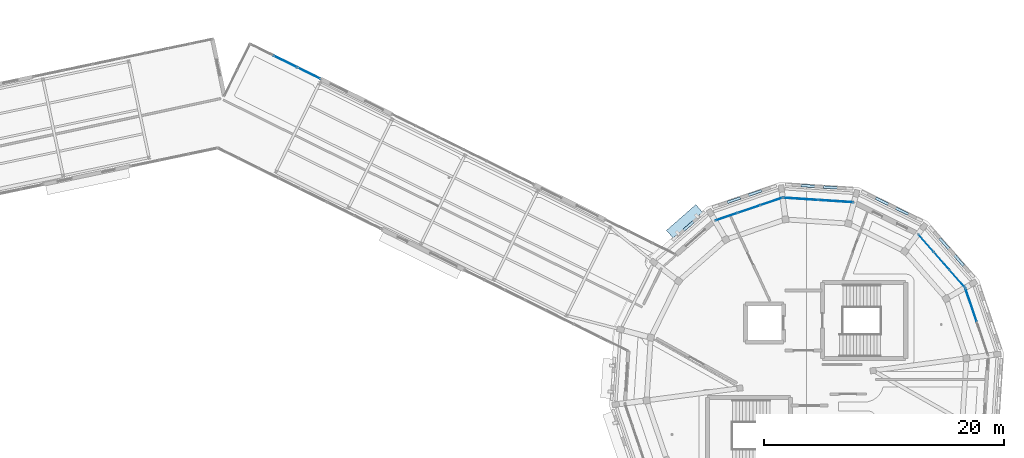
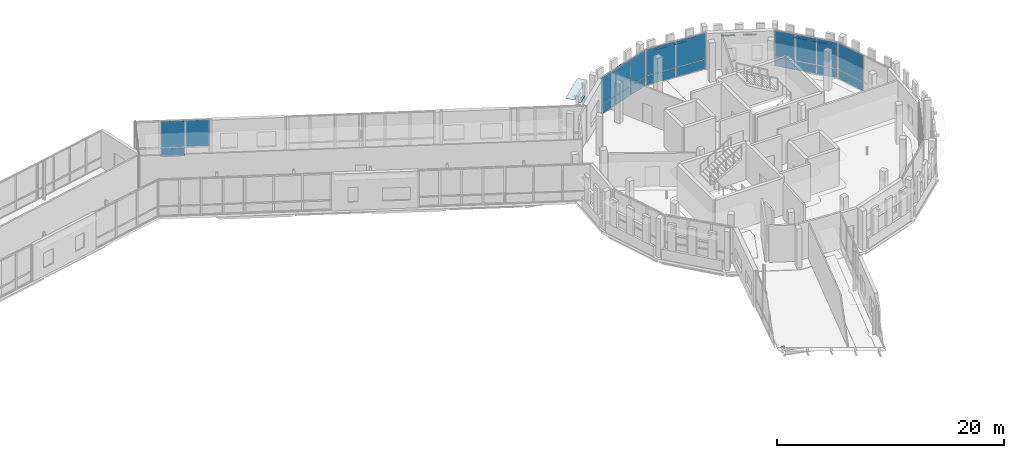
# One storey, part 83 of 125: 31 plates, 5 elements without a shape of their own.
"""IFC4 building model written with IfcOpenShell, lengths in metres."""

from ifc_helpers import new_model, si_unit, direction, frame, origin, origin_2d, place, context, subcontext, project, spatial, rectangle, extrude, material, layer, layer_set, type_object, element, aggregate, save


model = new_model("IFC4")

# Units and contexts
model_context = context("Model", 3, precision=1e-05, world=origin(), true_north=direction((0.0, 1.0)))
body_context = subcontext(model_context, "Body", "Model", "MODEL_VIEW")
ifc_project = project(units=[si_unit("LENGTHUNIT", "METRE"), si_unit("AREAUNIT", "SQUARE_METRE"), si_unit("VOLUMEUNIT", "CUBIC_METRE"), si_unit("PLANEANGLEUNIT", "RADIAN"), si_unit("MASSUNIT", "GRAM", prefix="KILO")], contexts=[model_context])

# Site, building, storey
site_placement = place(None, origin())
site = spatial("IfcSite", under=ifc_project, at=site_placement, CompositionType="ELEMENT")
building_placement = place(site_placement, origin())
building = spatial("IfcBuilding", under=site, at=building_placement, Name="Wrenclough Park School", CompositionType="ELEMENT")
storey_placement = place(building_placement, frame((0.0, 0.0, 4.199951171875)))
storey = spatial("IfcBuildingStorey", under=building, at=storey_placement, Name="L01", CompositionType="ELEMENT", Elevation=4.199951171875)

# Curtain wall, plates
ifc_material_1 = material(Name="Thermally broken aluminium and low-e glass curtain wall", Category="aluminium")
curtain_wall_type_1 = type_object("IfcCurtainWallType", Name="ENV-CW-05", PredefinedType="USERDEFINED", material=ifc_material_1)
curtain_wall_1_placement = place(storey_placement, origin())
curtain_wall_1 = element("IfcCurtainWall", 1, at=curtain_wall_1_placement, inside=storey, type_object=curtain_wall_type_1, Name="L01 recessed curtain wall assembly 116", ObjectType="CURTAIN WALL", PredefinedType="USERDEFINED")
ifc_material_2 = material(Name="Double-glazed solar-control low-e glass", Category="glass")
ifc_layer_1 = layer(ifc_material_2, 0.02587890625)
ifc_layer_set_1 = layer_set([ifc_layer_1], Name="Double-glazed solar-control low-e glass")
plate_type_1 = type_object("IfcPlateType", Name="ENV-CWP-GL26", PredefinedType="CURTAIN_PANEL", material=ifc_layer_set_1)
plate_1_placement = place(storey_placement, frame((184.46875, 104.8583984375, 0.06982421875), z_axis=(0.0, 0.0, 1.0), x_axis=(0.65936519908, -0.751822807743, 0.0)))
plate_1 = element("IfcPlate", 2, at=plate_1_placement, type_object=plate_type_1, Name="CW-05 panel 1.1", PredefinedType="CURTAIN_PANEL", context=body_context, shape_type="SweptSolid", body=[
    extrude(rectangle(XDim=1.87939453125, YDim=0.02587890625, at=origin_2d()), origin(), (0.0, 0.0, 1.0), 0.945068359375),
])
plate_2_placement = place(storey_placement, frame((184.46875, 104.8583984375, 1.0849609375), z_axis=(0.0, 0.0, 1.0), x_axis=(0.65936519908, -0.751822807743, 0.0)))
plate_2 = element("IfcPlate", 3, at=plate_2_placement, type_object=plate_type_1, Name="CW-05 panel 1.2", PredefinedType="CURTAIN_PANEL", context=body_context, shape_type="SweptSolid", body=[
    extrude(rectangle(XDim=1.87939453125, YDim=0.02587890625, at=origin_2d()), origin(), (0.0, 0.0, 1.0), 2.784912109375),
])
plate_3_placement = place(storey_placement, frame((185.765625, 103.379638671875, 0.06982421875), z_axis=(0.0, 0.0, 1.0), x_axis=(0.65936519908, -0.751822807743, 0.0)))
plate_3 = element("IfcPlate", 4, at=plate_3_placement, type_object=plate_type_1, Name="CW-05 panel 2.1", PredefinedType="CURTAIN_PANEL", context=body_context, shape_type="SweptSolid", body=[
    extrude(rectangle(XDim=1.914306640625, YDim=0.02587890625, at=origin_2d()), origin(), (0.0, 0.0, 1.0), 0.945068359375),
])
plate_4_placement = place(storey_placement, frame((185.765625, 103.379638671875, 1.0849609375), z_axis=(0.0, 0.0, 1.0), x_axis=(0.65936519908, -0.751822807743, 0.0)))
plate_4 = element("IfcPlate", 5, at=plate_4_placement, type_object=plate_type_1, Name="CW-05 panel 2.2", PredefinedType="CURTAIN_PANEL", context=body_context, shape_type="SweptSolid", body=[
    extrude(rectangle(XDim=1.914306640625, YDim=0.02587890625, at=origin_2d()), origin(), (0.0, 0.0, 1.0), 2.784912109375),
])
plate_5_placement = place(storey_placement, frame((187.0625, 101.90087890625, 0.06982421875), z_axis=(0.0, 0.0, 1.0), x_axis=(0.65936519908, -0.751822807743, 0.0)))
plate_5 = element("IfcPlate", 6, at=plate_5_placement, type_object=plate_type_1, Name="CW-05 panel 3.1", PredefinedType="CURTAIN_PANEL", context=body_context, shape_type="SweptSolid", body=[
    extrude(rectangle(XDim=1.87939453125, YDim=0.02587890625, at=origin_2d()), origin(), (0.0, 0.0, 1.0), 0.945068359375),
])
plate_6_placement = place(storey_placement, frame((187.0625, 101.90087890625, 1.0849609375), z_axis=(0.0, 0.0, 1.0), x_axis=(0.65936519908, -0.751822807743, 0.0)))
plate_6 = element("IfcPlate", 7, at=plate_6_placement, type_object=plate_type_1, Name="CW-05 panel 3.2", PredefinedType="CURTAIN_PANEL", context=body_context, shape_type="SweptSolid", body=[
    extrude(rectangle(XDim=1.87939453125, YDim=0.02587890625, at=origin_2d()), origin(), (0.0, 0.0, 1.0), 2.784912109375),
])
aggregate(curtain_wall_1, [plate_1, plate_2, plate_3, plate_4, plate_5, plate_6])

curtain_wall_type_2 = type_object("IfcCurtainWallType", Name="ENV-CW-03", PredefinedType="USERDEFINED", material=ifc_material_1)
curtain_wall_2_placement = place(storey_placement, origin())
curtain_wall_2 = element("IfcCurtainWall", 8, at=curtain_wall_2_placement, inside=storey, type_object=curtain_wall_type_2, Name="L01 recessed curtain wall assembly 114", ObjectType="CURTAIN WALL", PredefinedType="USERDEFINED")
ifc_material_3 = material(Name="Triple-glazed senior-lab low-e glass", Category="glass")
ifc_layer_2 = layer(ifc_material_3, 0.033935546875)
ifc_layer_set_2 = layer_set([ifc_layer_2], Name="Triple-glazed senior-lab low-e glass")
plate_type_2 = type_object("IfcPlateType", Name="ENV-CWP-GL34", PredefinedType="CURTAIN_PANEL", material=ifc_layer_set_2)
plate_7_placement = place(storey_placement, frame((167.818603515625, 107.055908203125, 0.06005859375), z_axis=(0.0, 0.0, 1.0), x_axis=(0.946933787668, 0.321428688473, 0.0)))
plate_7 = element("IfcPlate", 9, at=plate_7_placement, type_object=plate_type_2, Name="CW-03 panel 1.1", PredefinedType="CURTAIN_PANEL", context=body_context, shape_type="SweptSolid", body=[
    extrude(rectangle(XDim=1.894287109375, YDim=0.033935546875, at=origin_2d()), origin(), (0.0, 0.0, 1.0), 0.9599609375),
])
plate_8_placement = place(storey_placement, frame((167.818603515625, 107.055908203125, 1.080078125), z_axis=(0.0, 0.0, 1.0), x_axis=(0.946933787668, 0.321428688473, 0.0)))
plate_8 = element("IfcPlate", 10, at=plate_8_placement, type_object=plate_type_2, Name="CW-03 panel 1.2", PredefinedType="CURTAIN_PANEL", context=body_context, shape_type="SweptSolid", body=[
    extrude(rectangle(XDim=1.894287109375, YDim=0.033935546875, at=origin_2d()), origin(), (0.0, 0.0, 1.0), 2.800048828125),
])
plate_9_placement = place(storey_placement, frame((169.68359375, 107.68896484375, 0.06005859375), z_axis=(0.0, 0.0, 1.0), x_axis=(0.946933787668, 0.321428688473, 0.0)))
plate_9 = element("IfcPlate", 11, at=plate_9_placement, type_object=plate_type_2, Name="CW-03 panel 2.1", PredefinedType="CURTAIN_PANEL", context=body_context, shape_type="SweptSolid", body=[
    extrude(rectangle(XDim=1.92431640625, YDim=0.033935546875, at=origin_2d()), origin(), (0.0, 0.0, 1.0), 0.9599609375),
])
plate_10_placement = place(storey_placement, frame((169.68359375, 107.68896484375, 1.080078125), z_axis=(0.0, 0.0, 1.0), x_axis=(0.946933787668, 0.321428688473, 0.0)))
plate_10 = element("IfcPlate", 12, at=plate_10_placement, type_object=plate_type_2, Name="CW-03 panel 2.2", PredefinedType="CURTAIN_PANEL", context=body_context, shape_type="SweptSolid", body=[
    extrude(rectangle(XDim=1.92431640625, YDim=0.033935546875, at=origin_2d()), origin(), (0.0, 0.0, 1.0), 2.800048828125),
])
plate_11_placement = place(storey_placement, frame((171.54833984375, 108.322021484375, 0.06005859375), z_axis=(0.0, 0.0, 1.0), x_axis=(0.946933787668, 0.321428688473, 0.0)))
plate_11 = element("IfcPlate", 13, at=plate_11_placement, type_object=plate_type_2, Name="CW-03 panel 3.1", PredefinedType="CURTAIN_PANEL", context=body_context, shape_type="SweptSolid", body=[
    extrude(rectangle(XDim=1.894287109375, YDim=0.033935546875, at=origin_2d()), origin(), (0.0, 0.0, 1.0), 0.9599609375),
])
plate_12_placement = place(storey_placement, frame((171.54833984375, 108.322021484375, 1.080078125), z_axis=(0.0, 0.0, 1.0), x_axis=(0.946933787668, 0.321428688473, 0.0)))
plate_12 = element("IfcPlate", 14, at=plate_12_placement, type_object=plate_type_2, Name="CW-03 panel 3.2", PredefinedType="CURTAIN_PANEL", context=body_context, shape_type="SweptSolid", body=[
    extrude(rectangle(XDim=1.894287109375, YDim=0.033935546875, at=origin_2d()), origin(), (0.0, 0.0, 1.0), 2.800048828125),
])
aggregate(curtain_wall_2, [plate_7, plate_8, plate_9, plate_10, plate_11, plate_12])

curtain_wall_type_3 = type_object("IfcCurtainWallType", Name="ENV-CW-04", PredefinedType="USERDEFINED", material=ifc_material_1)
curtain_wall_3_placement = place(storey_placement, origin())
curtain_wall_3 = element("IfcCurtainWall", 15, at=curtain_wall_3_placement, inside=storey, type_object=curtain_wall_type_3, Name="L01 recessed curtain wall assembly 115", ObjectType="CURTAIN WALL", PredefinedType="USERDEFINED")
ifc_material_4 = material(Name="Laminated sports-concourse safety glass", Category="glass")
ifc_layer_3 = layer(ifc_material_4, 0.0380859375)
ifc_layer_set_3 = layer_set([ifc_layer_3], Name="Laminated sports-concourse safety glass")
plate_type_3 = type_object("IfcPlateType", Name="ENV-CWP-GL38", PredefinedType="CURTAIN_PANEL", material=ifc_layer_set_3)
plate_13_placement = place(storey_placement, frame((174.01123046875, 108.54833984375, 0.06494140625), z_axis=(0.0, 0.0, 1.0), x_axis=(0.997860471812, -0.065379498276, 0.0)))
plate_13 = element("IfcPlate", 16, at=plate_13_placement, type_object=plate_type_3, Name="CW-04 panel 1.1", PredefinedType="CURTAIN_PANEL", context=body_context, shape_type="SweptSolid", body=[
    extrude(rectangle(XDim=2.87890625, YDim=0.0380859375, at=origin_2d()), origin(), (0.0, 0.0, 1.0), 0.952392578125),
])
plate_14_placement = place(storey_placement, frame((174.01123046875, 108.54833984375, 1.08251953125), z_axis=(0.0, 0.0, 1.0), x_axis=(0.997860471812, -0.065379498276, 0.0)))
plate_14 = element("IfcPlate", 17, at=plate_14_placement, type_object=plate_type_3, Name="CW-04 panel 1.2", PredefinedType="CURTAIN_PANEL", context=body_context, shape_type="SweptSolid", body=[
    extrude(rectangle(XDim=2.87890625, YDim=0.0380859375, at=origin_2d()), origin(), (0.0, 0.0, 1.0), 2.79248046875),
])
plate_15_placement = place(storey_placement, frame((176.94873046875, 108.35595703125, 0.06494140625), z_axis=(0.0, 0.0, 1.0), x_axis=(0.997860471812, -0.065379498276, 0.0)))
plate_15 = element("IfcPlate", 18, at=plate_15_placement, type_object=plate_type_3, Name="CW-04 panel 2.1", PredefinedType="CURTAIN_PANEL", context=body_context, shape_type="SweptSolid", body=[
    extrude(rectangle(XDim=2.87890625, YDim=0.0380859375, at=origin_2d()), origin(), (0.0, 0.0, 1.0), 0.952392578125),
])
plate_16_placement = place(storey_placement, frame((176.94873046875, 108.35595703125, 1.08251953125), z_axis=(0.0, 0.0, 1.0), x_axis=(0.997860471812, -0.065379498276, 0.0)))
plate_16 = element("IfcPlate", 19, at=plate_16_placement, type_object=plate_type_3, Name="CW-04 panel 2.2", PredefinedType="CURTAIN_PANEL", context=body_context, shape_type="SweptSolid", body=[
    extrude(rectangle(XDim=2.87890625, YDim=0.0380859375, at=origin_2d()), origin(), (0.0, 0.0, 1.0), 2.79248046875),
])
aggregate(curtain_wall_3, [plate_13, plate_14, plate_15, plate_16])

curtain_wall_type_4 = type_object("IfcCurtainWallType", Name="ENV-CW-06", PredefinedType="USERDEFINED", material=ifc_material_1)
curtain_wall_4_placement = place(storey_placement, origin())
curtain_wall_4 = element("IfcCurtainWall", 20, at=curtain_wall_4_placement, inside=storey, type_object=curtain_wall_type_4, Name="L01 recessed curtain wall assembly 117", ObjectType="CURTAIN WALL", PredefinedType="USERDEFINED")
ifc_material_5 = material(Name="Insulated anodised aluminium spandrel panel", Category="aluminium")
ifc_layer_4 = layer(ifc_material_5, 0.0419921875)
ifc_layer_set_4 = layer_set([ifc_layer_4], Name="Insulated anodised aluminium spandrel panel")
plate_type_4 = type_object("IfcPlateType", Name="ENV-CWP-SP42", PredefinedType="CURTAIN_PANEL", material=ifc_layer_set_4)
plate_17_placement = place(storey_placement, frame((188.21533203125, 99.711669921875, 0.06005859375), z_axis=(0.0, 0.0, 1.0), x_axis=(0.321428688473, -0.946933787668, 0.0)))
plate_17 = element("IfcPlate", 21, at=plate_17_placement, type_object=plate_type_4, Name="CW-06 panel 1.1", PredefinedType="CURTAIN_PANEL", context=body_context, shape_type="SweptSolid", body=[
    extrude(rectangle(XDim=2.886474609375, YDim=0.0419921875, at=origin_2d()), origin(), (0.0, 0.0, 1.0), 0.9599609375),
])
plate_18_placement = place(storey_placement, frame((188.21533203125, 99.711669921875, 1.080078125), z_axis=(0.0, 0.0, 1.0), x_axis=(0.321428688473, -0.946933787668, 0.0)))
plate_18 = element("IfcPlate", 22, at=plate_18_placement, type_object=plate_type_4, Name="CW-06 panel 1.2", PredefinedType="CURTAIN_PANEL", context=body_context, shape_type="SweptSolid", body=[
    extrude(rectangle(XDim=2.886474609375, YDim=0.0419921875, at=origin_2d()), origin(), (0.0, 0.0, 1.0), 2.800048828125),
])
aggregate(curtain_wall_4, [plate_17, plate_18])

curtain_wall_type_5 = type_object("IfcCurtainWallType", Name="ENV-CW-15", PredefinedType="USERDEFINED", material=ifc_material_1)
curtain_wall_5_placement = place(storey_placement, origin())
curtain_wall_5 = element("IfcCurtainWall", 23, at=curtain_wall_5_placement, inside=storey, type_object=curtain_wall_type_5, Name="L01 recessed curtain wall assembly 110", ObjectType="CURTAIN WALL", PredefinedType="USERDEFINED")
ifc_material_6 = material(Name="Insulated patinated copper-toned spandrel panel", Category="aluminium")
ifc_layer_5 = layer(ifc_material_6, 0.048095703125)
ifc_layer_set_5 = layer_set([ifc_layer_5], Name="Insulated patinated copper-toned spandrel panel")
plate_type_5 = type_object("IfcPlateType", Name="ENV-CWP-SP48", PredefinedType="CURTAIN_PANEL", material=ifc_layer_set_5)
plate_19_placement = place(storey_placement, frame((131.0546875, 119.997314453125, 0.06982421875), z_axis=(0.0, 0.0, 1.0), x_axis=(0.896268771377, -0.443511318294, 0.0)))
plate_19 = element("IfcPlate", 24, at=plate_19_placement, type_object=plate_type_5, Name="CW-15 panel 2.1", PredefinedType="CURTAIN_PANEL", context=body_context, shape_type="SweptSolid", body=[
    extrude(rectangle(XDim=2.129150390625, YDim=0.048095703125, at=origin_2d()), origin(), (0.0, 0.0, 1.0), 0.945068359375),
])
plate_20_placement = place(storey_placement, frame((131.0546875, 119.997314453125, 1.0849609375), z_axis=(0.0, 0.0, 1.0), x_axis=(0.896268771377, -0.443511318294, 0.0)))
plate_20 = element("IfcPlate", 25, at=plate_20_placement, type_object=plate_type_5, Name="CW-15 panel 2.2", PredefinedType="CURTAIN_PANEL", context=body_context, shape_type="SweptSolid", body=[
    extrude(rectangle(XDim=2.129150390625, YDim=0.048095703125, at=origin_2d()), origin(), (0.0, 0.0, 1.0), 2.784912109375),
])
plate_21_placement = place(storey_placement, frame((133.010009765625, 119.029541015625, 1.0849609375), z_axis=(0.0, 0.0, 1.0), x_axis=(0.896268771377, -0.443511318294, 0.0)))
plate_21 = element("IfcPlate", 26, at=plate_21_placement, type_object=plate_type_5, Name="CW-15 panel 3.2", PredefinedType="CURTAIN_PANEL", context=body_context, shape_type="SweptSolid", body=[
    extrude(rectangle(XDim=2.09423828125, YDim=0.048095703125, at=origin_2d()), origin(), (0.0, 0.0, 1.0), 2.784912109375),
])
aggregate(curtain_wall_5, [plate_19, plate_20, plate_21])

# Plates
ifc_material_7 = material(Name="Anodised architectural aluminium solar shading fin plate", Category="aluminium")
ifc_layer_6 = layer(ifc_material_7, 0.0380859375)
ifc_layer_set_6 = layer_set([ifc_layer_6], Name="Anodised architectural aluminium solar shading fin plate")
plate_type_6 = type_object("IfcPlateType", Name="ENV-PL-BSF", PredefinedType="SHEET", material=ifc_layer_set_6)
for number, where, z_axis, x_axis, name in (
    (27, (187.224609375, 103.41015625, 2.72216796875), (0.0, 0.0, 1.0), (-0.659348912876, 0.751837090791, 0.0), "D5 L01 open-bond brick screen tie band 0261"),
    (28, (185.98681640625, 104.82177734375, 2.72216796875), (0.0, 0.0, 1.0), (-0.659348912876, 0.751837090791, 0.0), "D5 L01 open-bond brick screen tie band 0262"),
    (29, (182.46337890625, 107.525146484375, 2.72216796875), (0.0, 0.0, 1.0), (-0.896867204704, 0.44229991762, 0.0), "D5 L01 open-bond brick screen tie band 0263"),
    (30, (180.779541015625, 108.355712890625, 2.72216796875), (0.0, 0.0, 1.0), (-0.896867204704, 0.44229991762, 0.0), "D5 L01 open-bond brick screen tie band 0264"),
    (31, (176.48974609375, 109.505126953125, 2.72216796875), (0.0, 0.0, 1.0), (-0.997858697036, 0.065406580317, 0.0), "D5 L01 open-bond brick screen tie band 0265"),
    (32, (174.6162109375, 109.6279296875, 2.72216796875), (0.0, 0.0, 1.0), (-0.997858697036, 0.065406580317, 0.0), "D5 L01 open-bond brick screen tie band 0266"),
    (33, (170.21337890625, 109.04833984375, 2.72216796875), (0.0, 0.0, 1.0), (-0.946934414318, -0.321426842345, 0.0), "D5 L01 open-bond brick screen tie band 0267"),
    (34, (168.435791015625, 108.44482421875, 2.72216796875), (0.0, 0.0, 1.0), (-0.946934414318, -0.321426842345, 0.0), "D5 L01 open-bond brick screen tie band 0268"),
):
    element("IfcPlate", number, at=place(storey_placement, frame(where, z_axis=z_axis, x_axis=x_axis)), inside=storey, type_object=plate_type_6, Name=name, PredefinedType="SHEET", context=body_context, shape_type="SweptSolid", body=[
        extrude(rectangle(XDim=1.16748046875, YDim=0.219970703125, at=origin_2d()), origin(), (0.0, 0.0, 1.0), 0.0419921875),
    ])
plate_22_placement = place(storey_placement, frame((164.66162109375, 106.287353515625, 2.72216796875), z_axis=(0.0, 0.0, 1.0), x_axis=(-0.751830604021, -0.659356309485, 0.0)))
element("IfcPlate", 35, at=plate_22_placement, inside=storey, type_object=plate_type_6, Name="D5 L01 open-bond brick screen tie band 0269", PredefinedType="SHEET", context=body_context, shape_type="SweptSolid", body=[
    extrude(rectangle(XDim=1.084228515625, YDim=0.219970703125, at=origin_2d()), origin(), (0.0, 0.0, 1.0), 0.0419921875),
])
plate_23_placement = place(storey_placement, frame((164.3203125, 106.676513671875, 3.700927734375), z_axis=(0.0, 0.0, 1.0), x_axis=(-0.751830604021, -0.659356309485, 0.0)))
element("IfcPlate", 36, at=plate_23_placement, inside=storey, type_object=plate_type_6, Name="D5 L01 sun-side projecting brise-soleil blade 0033", PredefinedType="SHEET", context=body_context, shape_type="SweptSolid", body=[
    extrude(rectangle(XDim=3.26416015625, YDim=0.85009765625, at=origin_2d()), origin(), (0.0, 0.0, 1.0), 0.0380859375),
])

save(model, "model.ifc")
